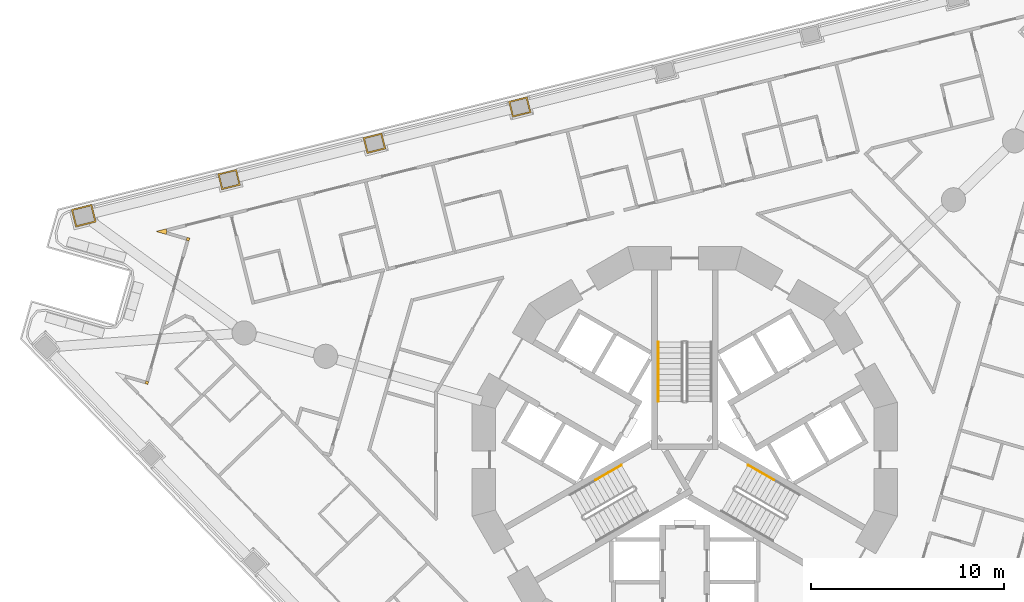
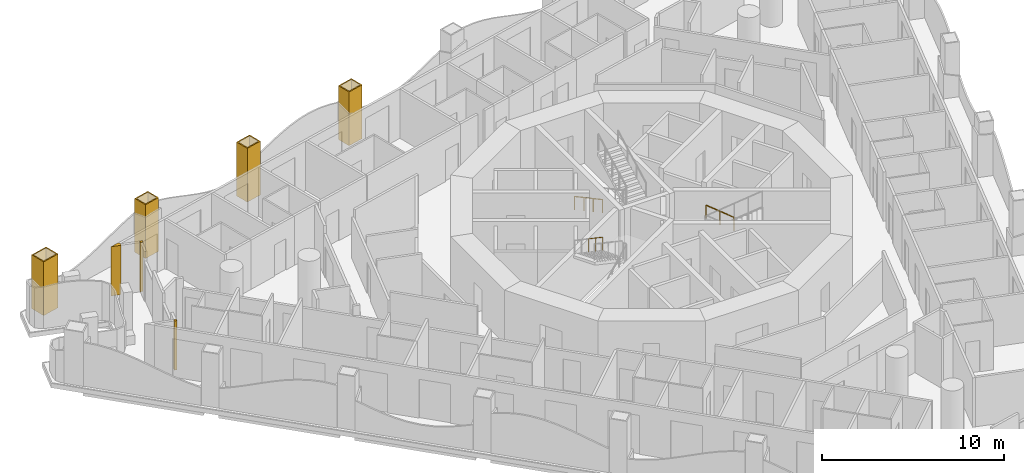
# One storey, part 16 of 19: 7 coverings, 3 railings.
"""IFC4 building model written with IfcOpenShell, lengths in metres."""

from ifc_helpers import new_model, si_unit, direction, frame, origin, origin_2d, place, context, subcontext, project, spatial, polyline, circle, outline, extrude, material, layer, layer_set, type_object, element, save


model = new_model("IFC4")

# Units and contexts
model_context = context("Model", 3, precision=1e-05, world=origin(), true_north=direction((0.0, 1.0)))
body_context = subcontext(model_context, "Body", "Model", "MODEL_VIEW")
ifc_project = project(units=[si_unit("LENGTHUNIT", "METRE"), si_unit("AREAUNIT", "SQUARE_METRE"), si_unit("VOLUMEUNIT", "CUBIC_METRE"), si_unit("PLANEANGLEUNIT", "RADIAN"), si_unit("MASSUNIT", "GRAM", prefix="KILO")], contexts=[model_context])

# Site, building, storey
site_placement = place(None, origin())
site = spatial("IfcSite", under=ifc_project, at=site_placement, CompositionType="ELEMENT")
building_placement = place(site_placement, origin())
building = spatial("IfcBuilding", under=site, at=building_placement, Name="Trine Commons Tower", CompositionType="ELEMENT")
storey_placement = place(building_placement, frame((0.0, 0.0, 105.300048828125)))
storey = spatial("IfcBuildingStorey", under=building, at=storey_placement, Name="L26", CompositionType="ELEMENT", Elevation=105.300048828125)

# Coverings
ifc_material_1 = material(Name="Aluminium-framed insulated wall panel", Category="aluminium")
ifc_layer_1 = layer(ifc_material_1, 0.14990234375)
ifc_layer_set_1 = layer_set([ifc_layer_1], Name="Aluminium-framed insulated wall panel")
covering_type_1 = type_object("IfcCoveringType", Name="Glazing corner post, aluminium", PredefinedType="CLADDING", material=ifc_layer_set_1)
covering_1_placement = place(storey_placement, origin())
element("IfcCovering", 1, at=covering_1_placement, inside=storey, type_object=covering_type_1, Name="Glazing corner post 3-02", PredefinedType="CLADDING", context=body_context, shape_type="SweptSolid", body=[
    extrude(outline(polyline([(52.048828125, 66.416015625), (52.193115234375, 66.374755859375), (52.234375, 66.518798828125), (52.090087890625, 66.560302734375), (52.048828125, 66.416015625)])), origin(), (0.0, 0.0, 1.0), 3.300048828125),
])
covering_2_placement = place(storey_placement, origin())
element("IfcCovering", 2, at=covering_2_placement, inside=storey, type_object=covering_type_1, Name="Glazing corner post 3-03", PredefinedType="CLADDING", context=body_context, shape_type="SweptSolid", body=[
    extrude(outline(polyline([(54.32373046875, 73.805419921875), (54.364990234375, 73.949462890625), (54.220703125, 73.99072265625), (54.179443359375, 73.8466796875), (54.32373046875, 73.805419921875)])), origin(), (0.0, 0.0, 1.0), 3.300048828125),
])
covering_3_placement = place(storey_placement, origin())
element("IfcCovering", 3, at=covering_3_placement, inside=storey, type_object=covering_type_1, Name="Glazing corner post 3-04", PredefinedType="CLADDING", context=body_context, shape_type="SweptSolid", body=[
    extrude(outline(polyline([(53.1357421875, 74.14599609375), (53.17724609375, 74.2900390625), (53.140869140625, 74.435546875), (52.59765625, 74.30029296875), (53.1357421875, 74.14599609375)])), origin(), (0.0, 0.0, 1.0), 3.300048828125),
])
ifc_material_2 = material(Name="Limestone, honed", Category="masonry")
ifc_layer_2 = layer(ifc_material_2, 0.074951171875)
ifc_layer_set_2 = layer_set([ifc_layer_2], Name="Limestone, honed")
covering_type_2 = type_object("IfcCoveringType", Name="Limestone column cladding 75", PredefinedType="CLADDING", material=ifc_layer_set_2)
covering_4_placement = place(storey_placement, origin())
element("IfcCovering", 4, at=covering_4_placement, inside=storey, type_object=covering_type_2, Name="Limestone pier cladding 3-09", PredefinedType="CLADDING", context=body_context, shape_type="SweptSolid", body=[
    extrude(outline(polyline([(49.520751953125, 74.785400390625), (49.291015625, 75.70703125), (48.2236328125, 75.44091796875), (48.45361328125, 74.519287109375), (49.520751953125, 74.785400390625)]), holes=[polyline([(49.429931640625, 74.83984375), (49.236328125, 75.6162109375), (48.314453125, 75.38623046875), (48.508056640625, 74.610107421875), (49.429931640625, 74.83984375)])]), origin(), (0.0, 0.0, 1.0), 3.599853515625),
])
covering_5_placement = place(storey_placement, origin())
element("IfcCovering", 5, at=covering_5_placement, inside=storey, type_object=covering_type_2, Name="Limestone pier cladding 3-10", PredefinedType="CLADDING", context=body_context, shape_type="SweptSolid", body=[
    extrude(outline(polyline([(56.9873046875, 76.698486328125), (56.78173828125, 77.523193359375), (55.811279296875, 77.28125), (56.01708984375, 76.45654296875), (56.9873046875, 76.698486328125)]), holes=[polyline([(56.896484375, 76.7529296875), (56.72705078125, 77.43212890625), (55.90234375, 77.2265625), (56.07177734375, 76.54736328125), (56.896484375, 76.7529296875)])]), origin(), (0.0, 0.0, 1.0), 3.599853515625),
])
covering_6_placement = place(storey_placement, origin())
element("IfcCovering", 6, at=covering_6_placement, inside=storey, type_object=covering_type_2, Name="Limestone pier cladding 3-11", PredefinedType="CLADDING", context=body_context, shape_type="SweptSolid", body=[
    extrude(outline(polyline([(64.5146484375, 78.5751953125), (64.308837890625, 79.39990234375), (63.338623046875, 79.157958984375), (63.544189453125, 78.333251953125), (64.5146484375, 78.5751953125)]), holes=[polyline([(64.423583984375, 78.6298828125), (64.25439453125, 79.30908203125), (63.4296875, 79.103515625), (63.598876953125, 78.42431640625), (64.423583984375, 78.6298828125)])]), origin(), (0.0, 0.0, 1.0), 3.599853515625),
])
covering_7_placement = place(storey_placement, origin())
element("IfcCovering", 7, at=covering_7_placement, inside=storey, type_object=covering_type_2, Name="Limestone pier cladding 3-12", PredefinedType="CLADDING", context=body_context, shape_type="SweptSolid", body=[
    extrude(outline(polyline([(72.0419921875, 80.451904296875), (71.836181640625, 81.276611328125), (70.865966796875, 81.03466796875), (71.071533203125, 80.2099609375), (72.0419921875, 80.451904296875)]), holes=[polyline([(71.950927734375, 80.506591796875), (71.781494140625, 81.185791015625), (70.956787109375, 80.97998046875), (71.126220703125, 80.30078125), (71.950927734375, 80.506591796875)])]), origin(), (0.0, 0.0, 1.0), 3.599853515625),
])

# Railings
ifc_material_3 = material(Name="Stainless steel handrail", Category="steel")
railing_type = type_object("IfcRailingType", Name="Stair handrail, steel 900", PredefinedType="HANDRAIL", material=ifc_material_3)
railing_1_placement = place(storey_placement, frame((78.625, 68.570556640625, 0.14990234375)))
element("IfcRailing", 8, at=railing_1_placement, inside=storey, type_object=railing_type, Name="L26 ST1A stair handrail 1", PredefinedType="HANDRAIL", context=body_context, shape_type="SweptSolid", body=[
    extrude(circle(Radius=0.02099609375, at=origin_2d()), frame((0.0, 0.0, 0.87890625), z_axis=(0.0, -0.881467505477, 0.472244678941), x_axis=(1.0, 0.0, 0.0)), (0.0, 0.0, 1.0), 3.494140625),
    extrude(circle(Radius=0.01513671875, at=origin_2d()), origin(), (0.0, 0.0, 1.0), 0.85791015625),
    extrude(circle(Radius=0.01513671875, at=origin_2d()), frame((0.0, -1.026611328125, 0.550048828125)), (0.0, 0.0, 1.0), 0.85791015625),
    extrude(circle(Radius=0.01513671875, at=origin_2d()), frame((0.0, -2.053466796875, 1.10009765625)), (0.0, 0.0, 1.0), 0.85791015625),
    extrude(circle(Radius=0.01513671875, at=origin_2d()), frame((0.0, -3.080078125, 1.650146484375)), (0.0, 0.0, 1.0), 0.85791015625),
])
railing_2_placement = place(storey_placement, frame((76.72265625, 62.195556640625, 1.949951171875)))
element("IfcRailing", 9, at=railing_2_placement, inside=storey, type_object=railing_type, Name="L26 ST2A stair handrail 3", PredefinedType="HANDRAIL", context=body_context, shape_type="SweptSolid", body=[
    extrude(circle(Radius=0.02099609375, at=origin_2d()), frame((0.0, 0.0, 0.87890625), z_axis=(-0.76340495495, -0.440743040072, 0.472184759798), x_axis=(0.499992328818, -0.866029832698, 0.0)), (0.0, 0.0, 1.0), 1.7470703125),
    extrude(circle(Radius=0.01513671875, at=origin_2d()), origin(), (0.0, 0.0, 1.0), 0.85791015625),
    extrude(circle(Radius=0.01513671875, at=origin_2d()), frame((-0.6669921875, -0.385009765625, 0.41259765625)), (0.0, 0.0, 1.0), 0.85791015625),
    extrude(circle(Radius=0.01513671875, at=origin_2d()), frame((-1.333740234375, -0.77001953125, 0.824951171875)), (0.0, 0.0, 1.0), 0.85791015625),
])
railing_3_placement = place(storey_placement, frame((84.611083984375, 61.425537109375, 0.974853515625)))
element("IfcRailing", 10, at=railing_3_placement, inside=storey, type_object=railing_type, Name="L26 ST3A stair handrail 2", PredefinedType="HANDRAIL", context=body_context, shape_type="SweptSolid", body=[
    extrude(circle(Radius=0.02099609375, at=origin_2d()), frame((0.0, 0.0, 0.87890625), z_axis=(-0.763354580307, 0.440713956853, 0.472293333596), x_axis=(-0.499992328818, -0.866029832698, 0.0)), (0.0, 0.0, 1.0), 1.747314453125),
    extrude(circle(Radius=0.01513671875, at=origin_2d()), origin(), (0.0, 0.0, 1.0), 0.85791015625),
    extrude(circle(Radius=0.01513671875, at=origin_2d()), frame((-0.6669921875, 0.385009765625, 0.41259765625)), (0.0, 0.0, 1.0), 0.85791015625),
    extrude(circle(Radius=0.01513671875, at=origin_2d()), frame((-1.333740234375, 0.77001953125, 0.8251953125)), (0.0, 0.0, 1.0), 0.85791015625),
])

save(model, "model.ifc")
